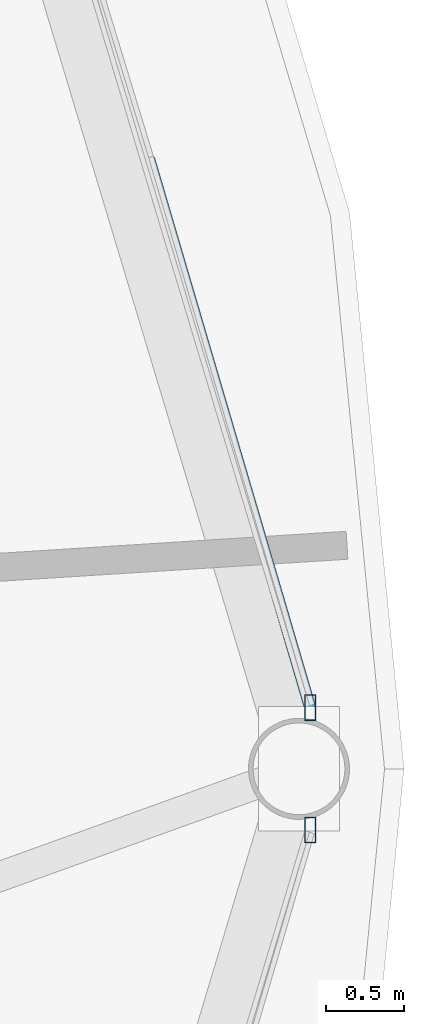
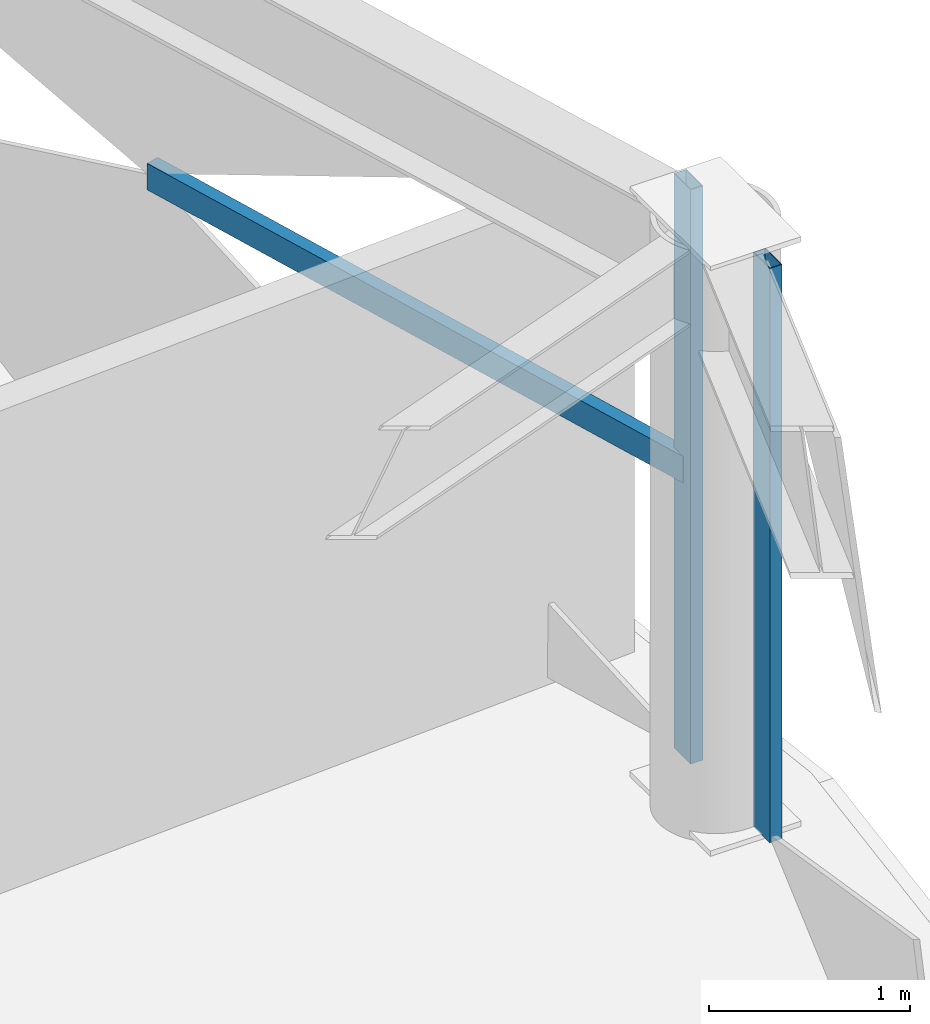
# One storey, part 14 of 30: 3 members, 2 elements without a shape of their own.
"""IFC4 building model written with IfcOpenShell, lengths in metres."""

from ifc_helpers import new_model, si_unit, direction, frame, origin, origin_2d, place, context, subcontext, project, spatial, hollow_rectangle, extrude, material, layer, layer_set, material_profile, profile_set, type_object, element, aggregate, save


model = new_model("IFC4")

# Units and contexts
model_context = context("Model", 3, precision=1e-05, world=origin(), true_north=direction((0.0, 1.0)))
body_context = subcontext(model_context, "Body", "Model", "MODEL_VIEW")
ifc_project = project(units=[si_unit("LENGTHUNIT", "METRE"), si_unit("AREAUNIT", "SQUARE_METRE"), si_unit("VOLUMEUNIT", "CUBIC_METRE"), si_unit("PLANEANGLEUNIT", "RADIAN"), si_unit("MASSUNIT", "GRAM", prefix="KILO")], contexts=[model_context])

# Site, building, storey
site_placement = place(None, origin())
site = spatial("IfcSite", under=ifc_project, at=site_placement, CompositionType="ELEMENT")
building_placement = place(site_placement, origin())
building = spatial("IfcBuilding", under=site, at=building_placement, Name="Vantalir Tower", CompositionType="ELEMENT")
storey_placement = place(building_placement, frame((0.0, 0.0, 201.14990234375)))
storey = spatial("IfcBuildingStorey", under=building, at=storey_placement, Name="L50", CompositionType="ELEMENT", Elevation=201.14990234375)

# Curtain wall, member
ifc_material_1 = material(Name="Champagne-silver PVDF aluminium and double-silver Low-E glass", Category="aluminium")
ifc_layer = layer(ifc_material_1, 0.2099609375)
ifc_layer_set = layer_set([ifc_layer], Name="Champagne-silver PVDF aluminium and double-silver Low-E glass")
curtain_wall_type = type_object("IfcCurtainWallType", Name="CW-DIAMOND-Z3", PredefinedType="USERDEFINED", material=ifc_layer_set)
curtain_wall_1_placement = place(storey_placement, origin())
curtain_wall_1 = element("IfcCurtainWall", 1, at=curtain_wall_1_placement, inside=storey, type_object=curtain_wall_type, Name="L50 Quilted Pyramid-Diamond Curtain Wall S01", ObjectType="UNITISED CURTAIN WALL", PredefinedType="USERDEFINED")
ifc_material_2 = material(Name="Champagne-silver PVDF aluminium 6063-T6", Category="aluminium")
ifc_material_profile_1 = material_profile(ifc_material_2, hollow_rectangle(XDim=0.070068359375, YDim=0.1650390625, WallThickness=0.00390625, at=origin_2d()), Name="Champagne-silver PVDF aluminium 6063-T6")
ifc_profile_set_1 = profile_set([ifc_material_profile_1], Name="Champagne-silver PVDF aluminium 6063-T6")
member_type_1 = type_object("IfcMemberType", Name="CWM-165x70", PredefinedType="MULLION", material=ifc_profile_set_1)
member_1_placement = place(storey_placement, frame((53.9541015625, 25.39306640625, 0.045166015625), z_axis=(0.0, 0.0, 1.0), x_axis=(1.0, 0.0, 0.0)))
member_1 = element("IfcMember", 2, at=member_1_placement, type_object=member_type_1, Name="CW-L50-S01 Mullion 1", PredefinedType="MULLION", context=body_context, shape_type="SweptSolid", body=[
    extrude(hollow_rectangle(XDim=0.070068359375, YDim=0.1650390625, WallThickness=0.00390625, at=origin_2d()), origin(), (0.0, 0.0, 1.0), 3.47998046875),
])

curtain_wall_2_placement = place(storey_placement, origin())
curtain_wall_2 = element("IfcCurtainWall", 3, at=curtain_wall_2_placement, inside=storey, type_object=curtain_wall_type, Name="L50 Quilted Pyramid-Diamond Curtain Wall S12", ObjectType="UNITISED CURTAIN WALL", PredefinedType="USERDEFINED")
member_2_placement = place(storey_placement, frame((53.9541015625, 24.60693359375, 0.045166015625), z_axis=(0.0, 0.0, 1.0), x_axis=(1.0, 0.0, 0.0)))
member_2 = element("IfcMember", 4, at=member_2_placement, type_object=member_type_1, Name="CW-L50-S12 Mullion 2", PredefinedType="MULLION", context=body_context, shape_type="SweptSolid", body=[
    extrude(hollow_rectangle(XDim=0.070068359375, YDim=0.1650390625, WallThickness=0.00390625, at=origin_2d()), origin(), (0.0, 0.0, 1.0), 3.47998046875),
])
aggregate(curtain_wall_2, [member_2])

# Member
ifc_material_profile_2 = material_profile(ifc_material_2, hollow_rectangle(XDim=0.074951171875, YDim=0.159912109375, WallThickness=0.00390625, at=origin_2d()), Name="Champagne-silver PVDF aluminium 6063-T6")
ifc_profile_set_2 = profile_set([ifc_material_profile_2], Name="Champagne-silver PVDF aluminium 6063-T6")
member_type_2 = type_object("IfcMemberType", Name="CWT-160x75", PredefinedType="USERDEFINED", material=ifc_profile_set_2)
member_3_placement = place(storey_placement, frame((53.9541015625, 25.39306640625, 1.78515625), z_axis=(-0.281799625696, 0.959473277876, 0.0), x_axis=(-0.959473277876, -0.281799625696, 0.0)))
member_3 = element("IfcMember", 5, at=member_3_placement, type_object=member_type_2, Name="CW-L50-S01 Pyramid Fold Ridge Transom", ObjectType="TRANSOM", PredefinedType="USERDEFINED", context=body_context, shape_type="SweptSolid", body=[
    extrude(hollow_rectangle(XDim=0.074951171875, YDim=0.159912109375, WallThickness=0.00390625, at=origin_2d()), origin(), (0.0, 0.0, 1.0), 3.6767578125),
])

aggregate(curtain_wall_1, [member_1, member_3])

save(model, "model.ifc")
